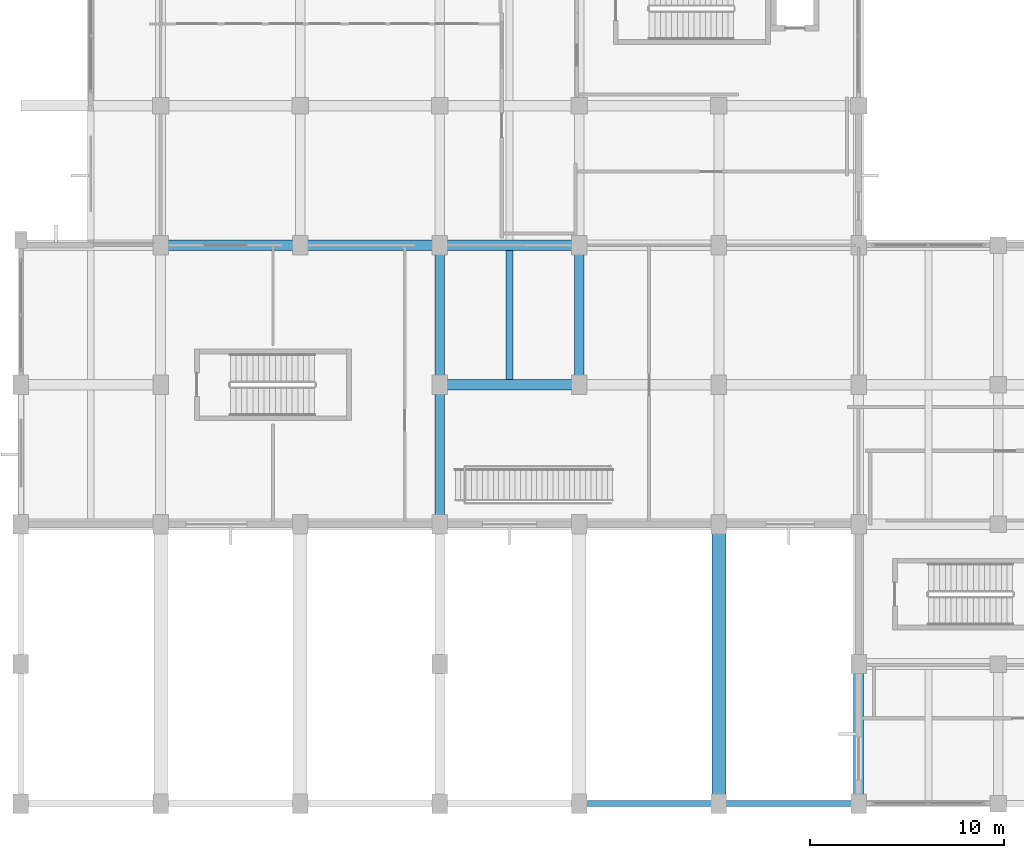
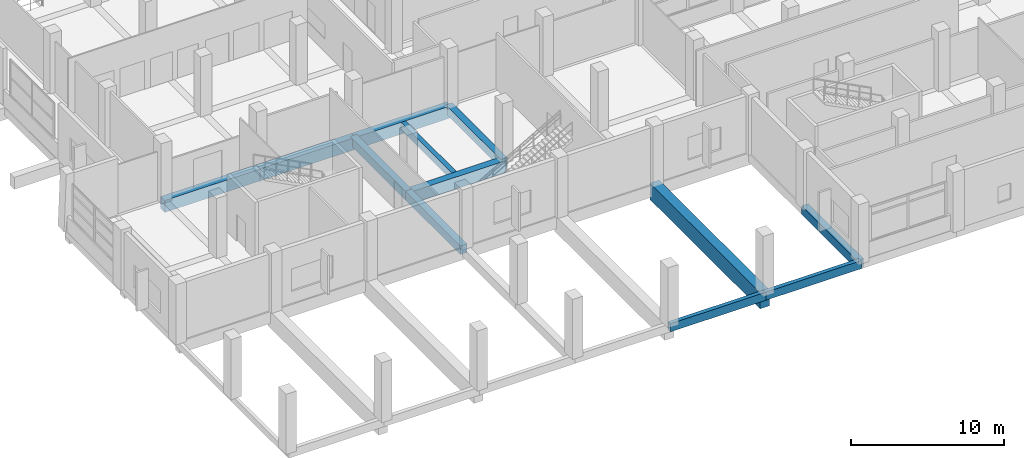
# One storey, part 5 of 181: 12 beams.
"""IFC4 building model written with IfcOpenShell, lengths in metres."""

from ifc_helpers import new_model, si_unit, direction, frame, origin, origin_2d, place, context, subcontext, project, spatial, rectangle, extrude, material, material_profile, profile_set, type_object, element, save


model = new_model("IFC4")

# Units and contexts
model_context = context("Model", 3, precision=1e-05, world=origin(), true_north=direction((0.0, 1.0)))
body_context = subcontext(model_context, "Body", "Model", "MODEL_VIEW")
ifc_project = project(units=[si_unit("LENGTHUNIT", "METRE"), si_unit("AREAUNIT", "SQUARE_METRE"), si_unit("VOLUMEUNIT", "CUBIC_METRE"), si_unit("PLANEANGLEUNIT", "RADIAN"), si_unit("MASSUNIT", "GRAM", prefix="KILO")], contexts=[model_context])

# Site, building, storey
site_placement = place(None, origin())
site = spatial("IfcSite", under=ifc_project, at=site_placement, CompositionType="ELEMENT")
building_placement = place(site_placement, origin())
building = spatial("IfcBuilding", under=site, at=building_placement, Name="Seraya Terrace Polytechnic", CompositionType="ELEMENT")
storey_placement = place(building_placement, frame((0.0, 0.0, 4.800048828125)))
storey = spatial("IfcBuildingStorey", under=building, at=storey_placement, Name="L01", CompositionType="ELEMENT", Elevation=4.800048828125)

# Beams
ifc_material = material(Name="Concrete C40/50", Category="concrete")
ifc_material_profile_1 = material_profile(ifc_material, rectangle(XDim=0.699951171875, YDim=1.300048828125, at=origin_2d()), Name="RC 700x1300")
ifc_profile_set_1 = profile_set([ifc_material_profile_1], Name="Concrete C40/50")
beam_type_1 = type_object("IfcBeamType", Name="BG-01", PredefinedType="USERDEFINED", material=ifc_profile_set_1)
beam_1_placement = place(storey_placement, frame((36.0, 0.0, -0.650146484375), z_axis=(0.0, 1.0, 0.0), x_axis=(-1.0, 0.0, 0.0)))
element("IfcBeam", 1, at=beam_1_placement, inside=storey, type_object=beam_type_1, Name="Beam BG-01 L01 Y (36.0, 0.0..14.4)", ObjectType="GIRDER", PredefinedType="USERDEFINED", context=body_context, shape_type="SweptSolid", body=[
    extrude(rectangle(XDim=0.699951171875, YDim=1.300048828125, at=origin_2d()), origin(), (0.0, 0.0, 1.0), 14.39990234375),
])
ifc_material_profile_2 = material_profile(ifc_material, rectangle(XDim=0.550048828125, YDim=0.949951171875, at=origin_2d()), Name="RC 550x950")
ifc_profile_set_2 = profile_set([ifc_material_profile_2], Name="Concrete C40/50")
beam_type_2 = type_object("IfcBeamType", Name="BM-03", PredefinedType="BEAM", material=ifc_profile_set_2)
for number, where, z_axis, x_axis, name in (
    (2, (21.60009765625, 21.60009765625, -0.47509765625), (1.0, 0.0, 0.0), (0.0, 1.0, 0.0), "Beam BM-03 L01 X (21.6..28.8, 21.6)"),
    (3, (7.199951171875, 28.800048828125, -0.47509765625), (1.0, 0.0, 0.0), (0.0, 1.0, 0.0), "Beam BM-03 L01 X (7.2..14.4, 28.8)"),
):
    element("IfcBeam", number, at=place(storey_placement, frame(where, z_axis=z_axis, x_axis=x_axis)), inside=storey, type_object=beam_type_2, Name=name, PredefinedType="BEAM", context=body_context, shape_type="SweptSolid", body=[
        extrude(rectangle(XDim=0.550048828125, YDim=0.949951171875, at=origin_2d()), origin(), (0.0, 0.0, 1.0), 7.199951171875),
    ])
beam_2_placement = place(storey_placement, frame((14.39990234375, 28.800048828125, -0.47509765625), z_axis=(1.0, 0.0, 0.0), x_axis=(0.0, 1.0, 0.0)))
element("IfcBeam", 4, at=beam_2_placement, inside=storey, type_object=beam_type_2, Name="Beam BM-03 L01 X (14.4..21.6, 28.8)", PredefinedType="BEAM", context=body_context, shape_type="SweptSolid", body=[
    extrude(rectangle(XDim=0.550048828125, YDim=0.949951171875, at=origin_2d()), origin(), (0.0, 0.0, 1.0), 7.2001953125),
])
beam_3_placement = place(storey_placement, frame((21.60009765625, 28.800048828125, -0.47509765625), z_axis=(1.0, 0.0, 0.0), x_axis=(0.0, 1.0, 0.0)))
element("IfcBeam", 5, at=beam_3_placement, inside=storey, type_object=beam_type_2, Name="Beam BM-03 L01 X (21.6..28.8, 28.8)", PredefinedType="BEAM", context=body_context, shape_type="SweptSolid", body=[
    extrude(rectangle(XDim=0.550048828125, YDim=0.949951171875, at=origin_2d()), origin(), (0.0, 0.0, 1.0), 7.199951171875),
])
ifc_material_profile_3 = material_profile(ifc_material, rectangle(XDim=0.5, YDim=0.699951171875, at=origin_2d()), Name="RC 500x700")
ifc_profile_set_3 = profile_set([ifc_material_profile_3], Name="Concrete C40/50")
beam_type_3 = type_object("IfcBeamType", Name="BM-07", PredefinedType="BEAM", material=ifc_profile_set_3)
beam_4_placement = place(storey_placement, frame((21.60009765625, 14.39990234375, -0.35009765625), z_axis=(0.0, 1.0, 0.0), x_axis=(-1.0, 0.0, 0.0)))
element("IfcBeam", 6, at=beam_4_placement, inside=storey, type_object=beam_type_3, Name="Beam BM-07 L01 Y (21.6, 14.4..21.6)", PredefinedType="BEAM", context=body_context, shape_type="SweptSolid", body=[
    extrude(rectangle(XDim=0.5, YDim=0.699951171875, at=origin_2d()), origin(), (0.0, 0.0, 1.0), 7.2001953125),
])
for number, where, z_axis, x_axis, name in (
    (7, (21.60009765625, 21.60009765625, -0.35009765625), (0.0, 1.0, 0.0), (-1.0, 0.0, 0.0), "Beam BM-07 L01 Y (21.6, 21.6..28.8)"),
    (8, (28.800048828125, 21.60009765625, -0.35009765625), (0.0, 1.0, 0.0), (-1.0, 0.0, 0.0), "Beam BM-07 L01 Y (28.8, 21.6..28.8)"),
    (9, (43.199951171875, 0.0, -0.35009765625), (0.0, 1.0, 0.0), (-1.0, 0.0, 0.0), "Beam BM-07 L01 Y (43.2, 0.0..7.2)"),
):
    element("IfcBeam", number, at=place(storey_placement, frame(where, z_axis=z_axis, x_axis=x_axis)), inside=storey, type_object=beam_type_3, Name=name, PredefinedType="BEAM", context=body_context, shape_type="SweptSolid", body=[
        extrude(rectangle(XDim=0.5, YDim=0.699951171875, at=origin_2d()), origin(), (0.0, 0.0, 1.0), 7.199951171875),
    ])
ifc_material_profile_4 = material_profile(ifc_material, rectangle(XDim=0.35009765625, YDim=0.60009765625, at=origin_2d()), Name="RC 350x600")
ifc_profile_set_4 = profile_set([ifc_material_profile_4], Name="Concrete C40/50")
beam_type_4 = type_object("IfcBeamType", Name="JS-02", PredefinedType="JOIST", material=ifc_profile_set_4)
beam_5_placement = place(storey_placement, frame((25.199951171875, 21.875, -0.300048828125), z_axis=(0.0, 1.0, 0.0), x_axis=(-1.0, 0.0, 0.0)))
element("IfcBeam", 10, at=beam_5_placement, inside=storey, type_object=beam_type_4, Name="Secondary joist JS-02 L01", PredefinedType="JOIST", context=body_context, shape_type="SweptSolid", body=[
    extrude(rectangle(XDim=0.35009765625, YDim=0.60009765625, at=origin_2d()), origin(), (0.0, 0.0, 1.0), 6.64990234375),
])
ifc_material_profile_5 = material_profile(ifc_material, rectangle(XDim=0.300048828125, YDim=0.64990234375, at=origin_2d()), Name="RC 300x650")
ifc_profile_set_5 = profile_set([ifc_material_profile_5], Name="Concrete C40/50")
beam_type_5 = type_object("IfcBeamType", Name="SP-01", PredefinedType="SPANDREL", material=ifc_profile_set_5)
for number, where, z_axis, x_axis, name in (
    (11, (28.800048828125, 0.0, -0.324951171875), (1.0, 0.0, 0.0), (0.0, 1.0, 0.0), "Beam SP-01 L01 X (28.8..36.0, 0.0)"),
    (12, (36.0, 0.0, -0.324951171875), (1.0, 0.0, 0.0), (0.0, 1.0, 0.0), "Beam SP-01 L01 X (36.0..43.2, 0.0)"),
):
    element("IfcBeam", number, at=place(storey_placement, frame(where, z_axis=z_axis, x_axis=x_axis)), inside=storey, type_object=beam_type_5, Name=name, PredefinedType="SPANDREL", context=body_context, shape_type="SweptSolid", body=[
        extrude(rectangle(XDim=0.300048828125, YDim=0.64990234375, at=origin_2d()), origin(), (0.0, 0.0, 1.0), 7.199951171875),
    ])

save(model, "model.ifc")
